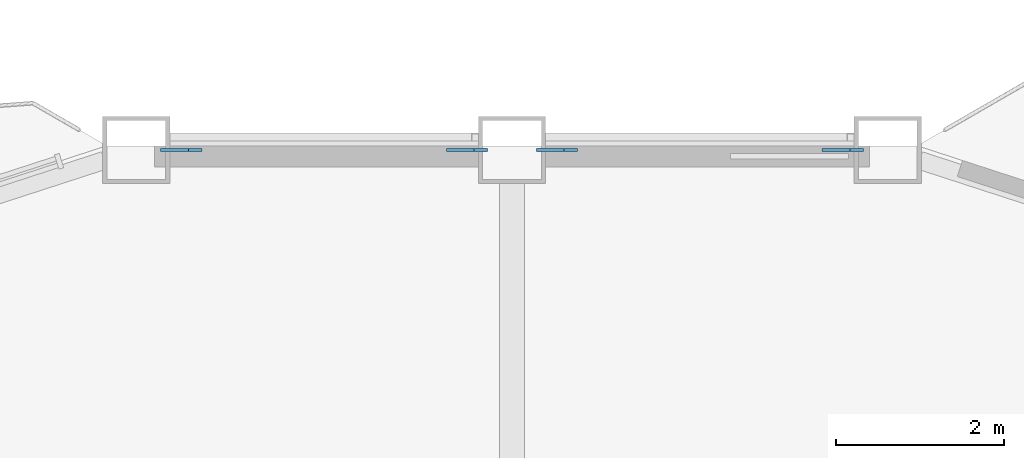
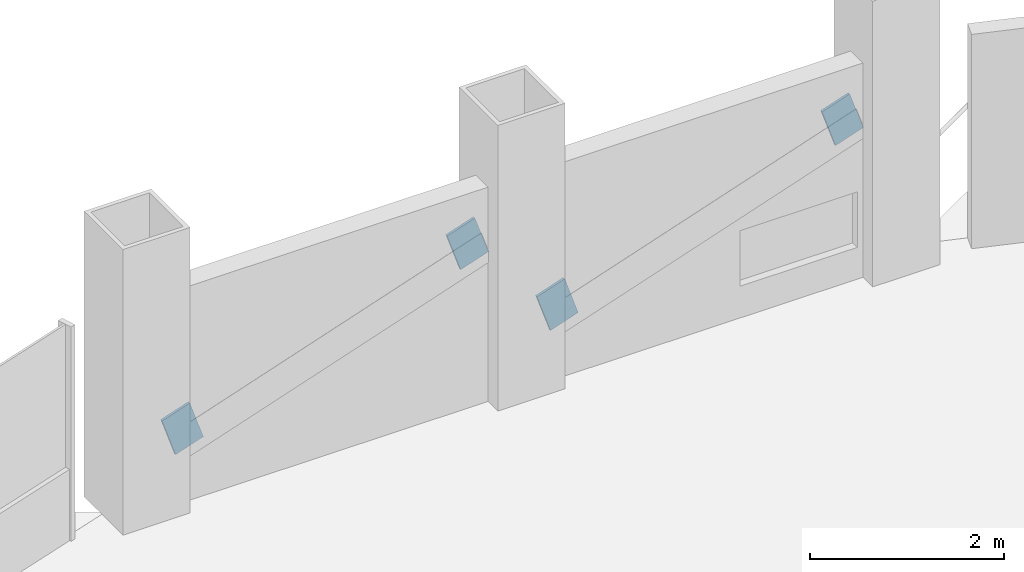
# One storey, part 17 of 22: 4 discrete accessories.
"""IFC4 building model written with IfcOpenShell, lengths in metres."""

from ifc_helpers import new_model, si_unit, direction, frame, origin, origin_2d, place, context, subcontext, project, spatial, rectangle, extrude, material, material_profile, profile_set, type_object, element, save


model = new_model("IFC4")

# Units and contexts
model_context = context("Model", 3, precision=1e-05, world=origin(), true_north=direction((0.0, 1.0)))
body_context = subcontext(model_context, "Body", "Model", "MODEL_VIEW")
ifc_project = project(units=[si_unit("LENGTHUNIT", "METRE"), si_unit("AREAUNIT", "SQUARE_METRE"), si_unit("VOLUMEUNIT", "CUBIC_METRE"), si_unit("PLANEANGLEUNIT", "RADIAN"), si_unit("MASSUNIT", "GRAM", prefix="KILO")], contexts=[model_context])

# Site, building, storey
site_placement = place(None, origin())
site = spatial("IfcSite", under=ifc_project, at=site_placement, CompositionType="ELEMENT")
building_placement = place(site_placement, origin())
building = spatial("IfcBuilding", under=site, at=building_placement, Name="Cormorant Prow Tower", CompositionType="ELEMENT")
storey_placement = place(building_placement, frame((0.0, 0.0, 190.800048828125)))
storey = spatial("IfcBuildingStorey", under=building, at=storey_placement, Name="L41", CompositionType="ELEMENT", Elevation=190.800048828125)

# Discrete accessories
ifc_material = material(Name="Structural steel ASTM A500 Gr C", Category="steel")
ifc_material_profile = material_profile(ifc_material, rectangle(XDim=0.031982421875, YDim=0.506103515625, at=origin_2d()), Name="Gusset plate 32x506")
ifc_profile_set = profile_set([ifc_material_profile], Name="Structural steel ASTM A500 Gr C")
discrete_accessory_type = type_object("IfcDiscreteAccessoryType", Name="Gusset plate 32x506", PredefinedType="BRACKET", material=ifc_profile_set)
discrete_accessory_1_placement = place(storey_placement, frame((0.701416015625, 32.3994140625, 0.83544921875), z_axis=(-0.948053578163, 0.0, -0.318110692893), x_axis=(0.0, -1.0, 0.0)))
element("IfcDiscreteAccessory", 1, at=discrete_accessory_1_placement, inside=storey, type_object=discrete_accessory_type, Name="Gusset plate GP2 L41.N00.g0", PredefinedType="BRACKET", context=body_context, shape_type="SweptSolid", body=[
    extrude(rectangle(XDim=0.031982421875, YDim=0.506103515625, at=origin_2d()), origin(), (0.0, 0.0, 1.0), 0.349853515625),
])
discrete_accessory_2_placement = place(storey_placement, frame((3.768798828125, 32.3994140625, 1.865234375), z_axis=(0.947843027885, 0.0, 0.318737500915), x_axis=(0.0, 1.0, 0.0)))
element("IfcDiscreteAccessory", 2, at=discrete_accessory_2_placement, inside=storey, type_object=discrete_accessory_type, Name="Gusset plate GP2 L41.N00.g1", PredefinedType="BRACKET", context=body_context, shape_type="SweptSolid", body=[
    extrude(rectangle(XDim=0.031982421875, YDim=0.506103515625, at=origin_2d()), origin(), (0.0, 0.0, 1.0), 0.35009765625),
])
discrete_accessory_3_placement = place(storey_placement, frame((-3.768798828125, 32.3994140625, 0.83544921875), z_axis=(-0.948053578163, 0.0, -0.318110692893), x_axis=(0.0, -1.0, 0.0)))
element("IfcDiscreteAccessory", 3, at=discrete_accessory_3_placement, inside=storey, type_object=discrete_accessory_type, Name="Gusset plate GP2 L41.N01.g0", PredefinedType="BRACKET", context=body_context, shape_type="SweptSolid", body=[
    extrude(rectangle(XDim=0.031982421875, YDim=0.506103515625, at=origin_2d()), origin(), (0.0, 0.0, 1.0), 0.349853515625),
])
discrete_accessory_4_placement = place(storey_placement, frame((-0.701416015625, 32.3994140625, 1.865234375), z_axis=(0.947843027885, 0.0, 0.318737500915), x_axis=(0.0, 1.0, 0.0)))
element("IfcDiscreteAccessory", 4, at=discrete_accessory_4_placement, inside=storey, type_object=discrete_accessory_type, Name="Gusset plate GP2 L41.N01.g1", PredefinedType="BRACKET", context=body_context, shape_type="SweptSolid", body=[
    extrude(rectangle(XDim=0.031982421875, YDim=0.506103515625, at=origin_2d()), origin(), (0.0, 0.0, 1.0), 0.35009765625),
])

save(model, "model.ifc")
